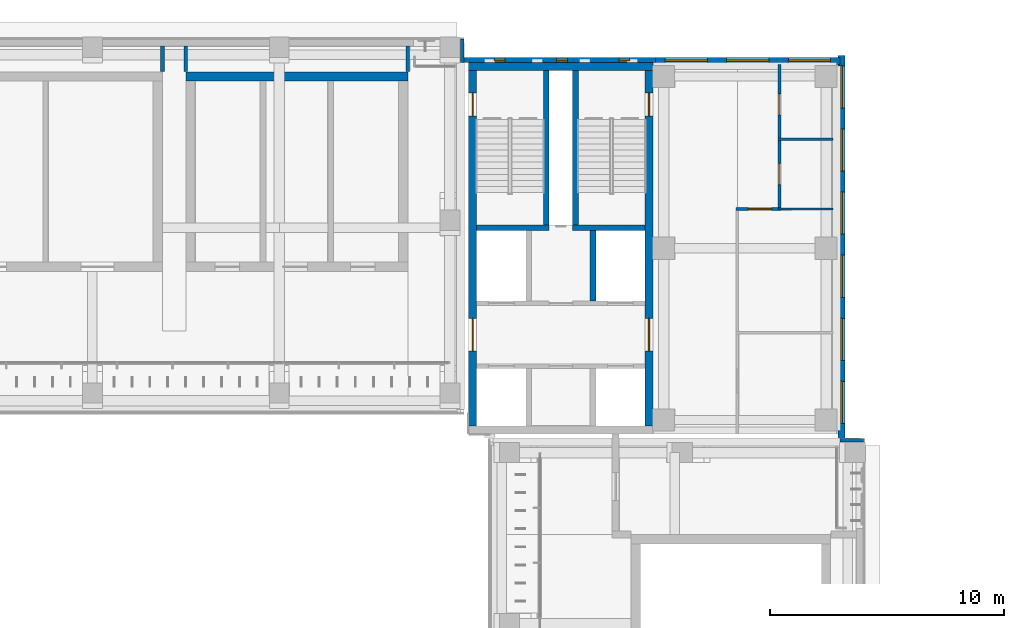
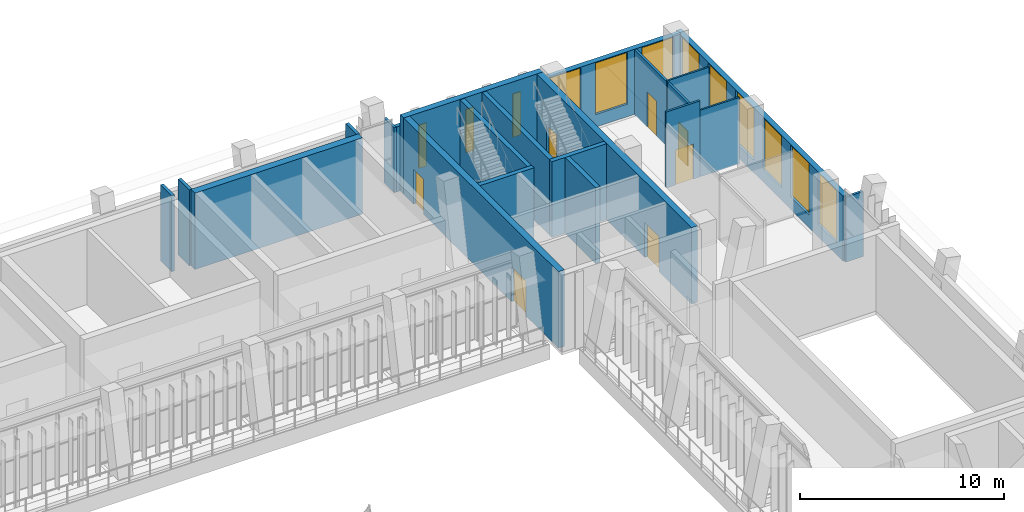
# One storey, part 69 of 92: 21 walls, 12 windows, 7 doors, 19 openings.
"""IFC4 building model written with IfcOpenShell, lengths in metres."""

from ifc_helpers import new_model, si_unit, direction, frame, frame_2d, origin, place, context, subcontext, project, spatial, rectangle, extrude, material, layer, layer_set, type_object, element, fill, save


model = new_model("IFC4")

# Units and contexts
model_context = context("Model", 3, precision=1e-05, world=origin(), true_north=direction((0.0, 1.0)))
body_context = subcontext(model_context, "Body", "Model", "MODEL_VIEW")
ifc_project = project(units=[si_unit("LENGTHUNIT", "METRE"), si_unit("AREAUNIT", "SQUARE_METRE"), si_unit("VOLUMEUNIT", "CUBIC_METRE"), si_unit("PLANEANGLEUNIT", "RADIAN"), si_unit("MASSUNIT", "GRAM", prefix="KILO")], contexts=[model_context])

# Site, building, storey
site_placement = place(None, origin())
site = spatial("IfcSite", under=ifc_project, at=site_placement, CompositionType="ELEMENT")
building_placement = place(site_placement, origin())
building = spatial("IfcBuilding", under=site, at=building_placement, Name="Lantern Court Media Centre", CompositionType="ELEMENT")
storey_placement = place(building_placement, frame((0.0, 0.0, 4.800048828125)))
storey = spatial("IfcBuildingStorey", under=building, at=storey_placement, Name="L01", CompositionType="ELEMENT", Elevation=4.800048828125)

# Wall, openings, doors
ifc_material_1 = material(Name="Gypsum board partition")
ifc_layer_1 = layer(ifc_material_1, 0.125)
ifc_layer_set_1 = layer_set([ifc_layer_1], Name="Gypsum board partition")
wall_type_1 = type_object("IfcWallType", Name="Corridor partition 125", PredefinedType="PARTITIONING", material=ifc_layer_set_1)
wall_1_placement = place(storey_placement, frame((93.39990234375, 105.7919921875, 0.0), z_axis=(0.0, 0.0, 1.0), x_axis=(0.0, 1.0, 0.0)))
wall_1 = element("IfcWall", 1, at=wall_1_placement, inside=storey, type_object=wall_type_1, Name="L01 partition 052", PredefinedType="PARTITIONING", context=body_context, shape_type="SweptSolid", body=[
    extrude(rectangle(XDim=6.1279296875, YDim=0.125, at=frame_2d((3.06396484375, 0.0))), origin(), (0.0, 0.0, 1.0), 3.8798828125),
])
opening_1_placement = place(wall_1_placement, frame((3.96533203125, 0.0, 0.0)))
opening_1 = element("IfcOpeningElement", 2, at=opening_1_placement, cuts=wall_1, Name="Opening L01-035", PredefinedType="OPENING", context=body_context, shape_type="SweptSolid", body=[
    extrude(rectangle(XDim=0.89990234375, YDim=2.10009765625, at=frame_2d((0.449951171875, 1.050048828125))), frame((0.0, 0.072509765625, 0.0), z_axis=(0.0, -1.0, 0.0), x_axis=(1.0, 0.0, 0.0)), (0.0, 0.0, 1.0), 0.14501953125),
])
opening_2_placement = place(wall_1_placement, frame((0.97998046875, 0.0, 0.0)))
opening_2 = element("IfcOpeningElement", 3, at=opening_2_placement, cuts=wall_1, Name="Opening L01-036", PredefinedType="OPENING", context=body_context, shape_type="SweptSolid", body=[
    extrude(rectangle(XDim=0.89990234375, YDim=2.10009765625, at=frame_2d((0.449951171875, 1.050048828125))), frame((0.0, 0.072509765625, 0.0), z_axis=(0.0, -1.0, 0.0), x_axis=(1.0, 0.0, 0.0)), (0.0, 0.0, 1.0), 0.14501953125),
])
ifc_material_2 = material(Name="Solid-core timber door leaf", Category="wood")
door_type_1 = type_object("IfcDoorType", Name="Single door 900x2100", OperationType="NOTDEFINED", PredefinedType="DOOR", material=ifc_material_2)
door_1_placement = place(opening_1_placement, frame((0.89990234375, 0.0, 0.0), z_axis=(0.0, 0.0, 1.0), x_axis=(-1.0, 0.0, 0.0)))
door_1 = element("IfcDoor", 4, at=door_1_placement, inside=storey, type_object=door_type_1, Name="L01 WC Male door", OperationType="SINGLE_SWING_RIGHT", OverallHeight=2.10009765625, OverallWidth=0.89990234375, PredefinedType="DOOR", context=body_context, shape_type="SweptSolid", body=[
    extrude(rectangle(XDim=0.89990234375, YDim=2.10009765625, at=frame_2d((0.449951171875, 1.050048828125))), frame((0.0, 0.02490234375, 0.0), z_axis=(0.0, -1.0, 0.0), x_axis=(1.0, 0.0, 0.0)), (0.0, 0.0, 1.0), 0.050048828125),
])
fill(opening_1, door_1)
door_2_placement = place(opening_2_placement, frame((0.89990234375, 0.0, 0.0), z_axis=(0.0, 0.0, 1.0), x_axis=(-1.0, 0.0, 0.0)))
door_2 = element("IfcDoor", 5, at=door_2_placement, inside=storey, type_object=door_type_1, Name="L01 WC Female door", OperationType="SINGLE_SWING_LEFT", OverallHeight=2.10009765625, OverallWidth=0.89990234375, PredefinedType="DOOR", context=body_context, shape_type="SweptSolid", body=[
    extrude(rectangle(XDim=0.89990234375, YDim=2.10009765625, at=frame_2d((0.449951171875, 1.050048828125))), frame((0.0, 0.02490234375, 0.0), z_axis=(0.0, -1.0, 0.0), x_axis=(1.0, 0.0, 0.0)), (0.0, 0.0, 1.0), 0.050048828125),
])
fill(opening_2, door_2)

# Wall, opening, door
wall_2_placement = place(storey_placement, frame((91.53759765625, 105.72998046875, 0.0), z_axis=(0.0, 0.0, 1.0), x_axis=(1.0, 0.0, 0.0)))
wall_2 = element("IfcWall", 6, at=wall_2_placement, inside=storey, type_object=wall_type_1, Name="L01 partition 059", PredefinedType="PARTITIONING", context=body_context, shape_type="SweptSolid", body=[
    extrude(rectangle(XDim=1.9248046875, YDim=0.125, at=frame_2d((0.96240234375, 0.0))), origin(), (0.0, 0.0, 1.0), 4.56005859375),
])
opening_3_placement = place(wall_2_placement, frame((0.53515625, 0.0, 0.0)))
opening_3 = element("IfcOpeningElement", 7, at=opening_3_placement, cuts=wall_2, Name="Opening L01-033", PredefinedType="OPENING", context=body_context, shape_type="SweptSolid", body=[
    extrude(rectangle(XDim=1.0, YDim=2.10009765625, at=frame_2d((0.5, 1.050048828125))), frame((0.0, 0.072509765625, 0.0), z_axis=(0.0, -1.0, 0.0), x_axis=(1.0, 0.0, 0.0)), (0.0, 0.0, 1.0), 0.14501953125),
])
door_type_2 = type_object("IfcDoorType", Name="Single door 1000x2100", OperationType="NOTDEFINED", PredefinedType="DOOR", material=ifc_material_2)
door_3_placement = place(opening_3_placement, frame((1.0, 0.0, 0.0), z_axis=(0.0, 0.0, 1.0), x_axis=(-1.0, 0.0, 0.0)))
door_3 = element("IfcDoor", 8, at=door_3_placement, inside=storey, type_object=door_type_2, Name="L01 Broadcast Programming Office 02 door", OperationType="SINGLE_SWING_RIGHT", OverallHeight=2.10009765625, OverallWidth=1.0, PredefinedType="DOOR", context=body_context, shape_type="SweptSolid", body=[
    extrude(rectangle(XDim=1.0, YDim=2.10009765625, at=frame_2d((0.5, 1.050048828125))), frame((0.0, 0.02490234375, 0.0), z_axis=(0.0, -1.0, 0.0), x_axis=(1.0, 0.0, 0.0)), (0.0, 0.0, 1.0), 0.050048828125),
])
fill(opening_3, door_3)

# Wall, openings, windows
ifc_material_3 = material(Name="Honed limestone cladding on blockwork", Category="masonry")
ifc_layer_2 = layer(ifc_material_3, 0.300048828125)
ifc_layer_set_2 = layer_set([ifc_layer_2], Name="Honed limestone cladding on blockwork")
wall_type_2 = type_object("IfcWallType", Name="Limestone block wall 300", PredefinedType="SOLIDWALL", material=ifc_layer_set_2)
wall_3_placement = place(storey_placement, frame((96.070068359375, 95.89990234375, 0.0), z_axis=(0.0, 0.0, 1.0), x_axis=(0.0, 1.0, 0.0)))
wall_3 = element("IfcWall", 9, at=wall_3_placement, inside=storey, type_object=wall_type_2, Name="Limestone wall NE E L01", PredefinedType="SOLIDWALL", context=body_context, shape_type="SweptSolid", body=[
    extrude(rectangle(XDim=16.400146484375, YDim=0.300048828125, at=frame_2d((8.2001953125, 0.0))), origin(), (0.0, 0.0, 1.0), 3.89990234375),
])
opening_4_placement = place(wall_3_placement, frame((0.64990234375, 0.0, 0.75)))
opening_4 = element("IfcOpeningElement", 10, at=opening_4_placement, cuts=wall_3, Name="Opening WN-F", PredefinedType="OPENING", context=body_context, shape_type="SweptSolid", body=[
    extrude(rectangle(XDim=1.800048828125, YDim=3.10009765625, at=frame_2d((0.89990234375, 1.550048828125))), frame((0.0, 0.159912109375, 0.0), z_axis=(0.0, -1.0, 0.0), x_axis=(1.0, 0.0, 0.0)), (0.0, 0.0, 1.0), 0.320068359375),
])
opening_5_placement = place(wall_3_placement, frame((3.35009765625, 0.0, 0.75)))
opening_5 = element("IfcOpeningElement", 11, at=opening_5_placement, cuts=wall_3, Name="Opening WN-F", PredefinedType="OPENING", context=body_context, shape_type="SweptSolid", body=[
    extrude(rectangle(XDim=1.800048828125, YDim=3.10009765625, at=frame_2d((0.89990234375, 1.550048828125))), frame((0.0, 0.159912109375, 0.0), z_axis=(0.0, -1.0, 0.0), x_axis=(1.0, 0.0, 0.0)), (0.0, 0.0, 1.0), 0.320068359375),
])
opening_6_placement = place(wall_3_placement, frame((6.050048828125, 0.0, 0.75)))
opening_6 = element("IfcOpeningElement", 12, at=opening_6_placement, cuts=wall_3, Name="Opening WN-F", PredefinedType="OPENING", context=body_context, shape_type="SweptSolid", body=[
    extrude(rectangle(XDim=1.800048828125, YDim=3.10009765625, at=frame_2d((0.89990234375, 1.550048828125))), frame((0.0, 0.159912109375, 0.0), z_axis=(0.0, -1.0, 0.0), x_axis=(1.0, 0.0, 0.0)), (0.0, 0.0, 1.0), 0.320068359375),
])
opening_7_placement = place(wall_3_placement, frame((8.75, 0.0, 0.75)))
opening_7 = element("IfcOpeningElement", 13, at=opening_7_placement, cuts=wall_3, Name="Opening WN-F", PredefinedType="OPENING", context=body_context, shape_type="SweptSolid", body=[
    extrude(rectangle(XDim=1.800048828125, YDim=3.10009765625, at=frame_2d((0.89990234375, 1.550048828125))), frame((0.0, 0.159912109375, 0.0), z_axis=(0.0, -1.0, 0.0), x_axis=(1.0, 0.0, 0.0)), (0.0, 0.0, 1.0), 0.320068359375),
])
opening_8_placement = place(wall_3_placement, frame((11.449951171875, 0.0, 0.75)))
opening_8 = element("IfcOpeningElement", 14, at=opening_8_placement, cuts=wall_3, Name="Opening WN-F", PredefinedType="OPENING", context=body_context, shape_type="SweptSolid", body=[
    extrude(rectangle(XDim=1.800048828125, YDim=3.10009765625, at=frame_2d((0.89990234375, 1.550048828125))), frame((0.0, 0.159912109375, 0.0), z_axis=(0.0, -1.0, 0.0), x_axis=(1.0, 0.0, 0.0)), (0.0, 0.0, 1.0), 0.320068359375),
])
opening_9_placement = place(wall_3_placement, frame((14.14990234375, 0.0, 0.75)))
opening_9 = element("IfcOpeningElement", 15, at=opening_9_placement, cuts=wall_3, Name="Opening WN-F", PredefinedType="OPENING", context=body_context, shape_type="SweptSolid", body=[
    extrude(rectangle(XDim=1.800048828125, YDim=3.10009765625, at=frame_2d((0.89990234375, 1.550048828125))), frame((0.0, 0.159912109375, 0.0), z_axis=(0.0, -1.0, 0.0), x_axis=(1.0, 0.0, 0.0)), (0.0, 0.0, 1.0), 0.320068359375),
])
ifc_material_4 = material(Name="Anodised aluminium and glass", Category="aluminium")
window_type_1 = type_object("IfcWindowType", Name="Foyer window 1800x3100", PartitioningType="SINGLE_PANEL", PredefinedType="WINDOW", material=ifc_material_4)
window_1_placement = place(opening_4_placement, origin())
window_1 = element("IfcWindow", 16, at=window_1_placement, inside=storey, type_object=window_type_1, Name="Window NE E L01", OverallHeight=3.10009765625, OverallWidth=1.800048828125, PartitioningType="SINGLE_PANEL", PredefinedType="WINDOW", context=body_context, shape_type="SweptSolid", body=[
    extrude(rectangle(XDim=1.800048828125, YDim=3.10009765625, at=frame_2d((0.89990234375, 1.550048828125))), frame((0.0, 0.030029296875, 0.0), z_axis=(0.0, -1.0, 0.0), x_axis=(1.0, 0.0, 0.0)), (0.0, 0.0, 1.0), 0.06005859375),
])
fill(opening_4, window_1)
window_2_placement = place(opening_5_placement, origin())
window_2 = element("IfcWindow", 17, at=window_2_placement, inside=storey, type_object=window_type_1, Name="Window NE E L01", OverallHeight=3.10009765625, OverallWidth=1.800048828125, PartitioningType="SINGLE_PANEL", PredefinedType="WINDOW", context=body_context, shape_type="SweptSolid", body=[
    extrude(rectangle(XDim=1.800048828125, YDim=3.10009765625, at=frame_2d((0.89990234375, 1.550048828125))), frame((0.0, 0.030029296875, 0.0), z_axis=(0.0, -1.0, 0.0), x_axis=(1.0, 0.0, 0.0)), (0.0, 0.0, 1.0), 0.06005859375),
])
fill(opening_5, window_2)
window_3_placement = place(opening_6_placement, origin())
window_3 = element("IfcWindow", 18, at=window_3_placement, inside=storey, type_object=window_type_1, Name="Window NE E L01", OverallHeight=3.10009765625, OverallWidth=1.800048828125, PartitioningType="SINGLE_PANEL", PredefinedType="WINDOW", context=body_context, shape_type="SweptSolid", body=[
    extrude(rectangle(XDim=1.800048828125, YDim=3.10009765625, at=frame_2d((0.89990234375, 1.550048828125))), frame((0.0, 0.030029296875, 0.0), z_axis=(0.0, -1.0, 0.0), x_axis=(1.0, 0.0, 0.0)), (0.0, 0.0, 1.0), 0.06005859375),
])
fill(opening_6, window_3)
window_4_placement = place(opening_7_placement, origin())
window_4 = element("IfcWindow", 19, at=window_4_placement, inside=storey, type_object=window_type_1, Name="Window NE E L01", OverallHeight=3.10009765625, OverallWidth=1.800048828125, PartitioningType="SINGLE_PANEL", PredefinedType="WINDOW", context=body_context, shape_type="SweptSolid", body=[
    extrude(rectangle(XDim=1.800048828125, YDim=3.10009765625, at=frame_2d((0.89990234375, 1.550048828125))), frame((0.0, 0.030029296875, 0.0), z_axis=(0.0, -1.0, 0.0), x_axis=(1.0, 0.0, 0.0)), (0.0, 0.0, 1.0), 0.06005859375),
])
fill(opening_7, window_4)
window_5_placement = place(opening_8_placement, origin())
window_5 = element("IfcWindow", 20, at=window_5_placement, inside=storey, type_object=window_type_1, Name="Window NE E L01", OverallHeight=3.10009765625, OverallWidth=1.800048828125, PartitioningType="SINGLE_PANEL", PredefinedType="WINDOW", context=body_context, shape_type="SweptSolid", body=[
    extrude(rectangle(XDim=1.800048828125, YDim=3.10009765625, at=frame_2d((0.89990234375, 1.550048828125))), frame((0.0, 0.030029296875, 0.0), z_axis=(0.0, -1.0, 0.0), x_axis=(1.0, 0.0, 0.0)), (0.0, 0.0, 1.0), 0.06005859375),
])
fill(opening_8, window_5)
window_6_placement = place(opening_9_placement, origin())
window_6 = element("IfcWindow", 21, at=window_6_placement, inside=storey, type_object=window_type_1, Name="Window NE E L01", OverallHeight=3.10009765625, OverallWidth=1.800048828125, PartitioningType="SINGLE_PANEL", PredefinedType="WINDOW", context=body_context, shape_type="SweptSolid", body=[
    extrude(rectangle(XDim=1.800048828125, YDim=3.10009765625, at=frame_2d((0.89990234375, 1.550048828125))), frame((0.0, 0.030029296875, 0.0), z_axis=(0.0, -1.0, 0.0), x_axis=(1.0, 0.0, 0.0)), (0.0, 0.0, 1.0), 0.06005859375),
])
fill(opening_9, window_6)

wall_4_placement = place(storey_placement, frame((88.10009765625, 112.070068359375, 0.0), z_axis=(0.0, 0.0, 1.0), x_axis=(1.0, 0.0, 0.0)))
wall_4 = element("IfcWall", 22, at=wall_4_placement, inside=storey, type_object=wall_type_2, Name="Limestone wall NE N L01", PredefinedType="SOLIDWALL", context=body_context, shape_type="SweptSolid", body=[
    extrude(rectangle(XDim=7.89990234375, YDim=0.300048828125, at=frame_2d((3.949951171875, 0.0))), origin(), (0.0, 0.0, 1.0), 3.89990234375),
])
opening_10_placement = place(wall_4_placement, frame((0.416748046875, 0.0, 0.75)))
opening_10 = element("IfcOpeningElement", 23, at=opening_10_placement, cuts=wall_4, Name="Opening WN-F", PredefinedType="OPENING", context=body_context, shape_type="SweptSolid", body=[
    extrude(rectangle(XDim=1.800048828125, YDim=3.10009765625, at=frame_2d((0.89990234375, 1.550048828125))), frame((0.0, 0.159912109375, 0.0), z_axis=(0.0, -1.0, 0.0), x_axis=(1.0, 0.0, 0.0)), (0.0, 0.0, 1.0), 0.320068359375),
])
opening_11_placement = place(wall_4_placement, frame((3.050048828125, 0.0, 0.75)))
opening_11 = element("IfcOpeningElement", 24, at=opening_11_placement, cuts=wall_4, Name="Opening WN-F", PredefinedType="OPENING", context=body_context, shape_type="SweptSolid", body=[
    extrude(rectangle(XDim=1.800048828125, YDim=3.10009765625, at=frame_2d((0.89990234375, 1.550048828125))), frame((0.0, 0.159912109375, 0.0), z_axis=(0.0, -1.0, 0.0), x_axis=(1.0, 0.0, 0.0)), (0.0, 0.0, 1.0), 0.320068359375),
])
opening_12_placement = place(wall_4_placement, frame((5.683349609375, 0.0, 0.75)))
opening_12 = element("IfcOpeningElement", 25, at=opening_12_placement, cuts=wall_4, Name="Opening WN-F", PredefinedType="OPENING", context=body_context, shape_type="SweptSolid", body=[
    extrude(rectangle(XDim=1.800048828125, YDim=3.10009765625, at=frame_2d((0.89990234375, 1.550048828125))), frame((0.0, 0.159912109375, 0.0), z_axis=(0.0, -1.0, 0.0), x_axis=(1.0, 0.0, 0.0)), (0.0, 0.0, 1.0), 0.320068359375),
])
window_7_placement = place(opening_10_placement, origin())
window_7 = element("IfcWindow", 26, at=window_7_placement, inside=storey, type_object=window_type_1, Name="Window NE N L01", OverallHeight=3.10009765625, OverallWidth=1.800048828125, PartitioningType="SINGLE_PANEL", PredefinedType="WINDOW", context=body_context, shape_type="SweptSolid", body=[
    extrude(rectangle(XDim=1.800048828125, YDim=3.10009765625, at=frame_2d((0.89990234375, 1.550048828125))), frame((0.0, 0.030029296875, 0.0), z_axis=(0.0, -1.0, 0.0), x_axis=(1.0, 0.0, 0.0)), (0.0, 0.0, 1.0), 0.06005859375),
])
fill(opening_10, window_7)
window_8_placement = place(opening_11_placement, origin())
window_8 = element("IfcWindow", 27, at=window_8_placement, inside=storey, type_object=window_type_1, Name="Window NE N L01", OverallHeight=3.10009765625, OverallWidth=1.800048828125, PartitioningType="SINGLE_PANEL", PredefinedType="WINDOW", context=body_context, shape_type="SweptSolid", body=[
    extrude(rectangle(XDim=1.800048828125, YDim=3.10009765625, at=frame_2d((0.89990234375, 1.550048828125))), frame((0.0, 0.030029296875, 0.0), z_axis=(0.0, -1.0, 0.0), x_axis=(1.0, 0.0, 0.0)), (0.0, 0.0, 1.0), 0.06005859375),
])
fill(opening_11, window_8)
window_9_placement = place(opening_12_placement, origin())
window_9 = element("IfcWindow", 28, at=window_9_placement, inside=storey, type_object=window_type_1, Name="Window NE N L01", OverallHeight=3.10009765625, OverallWidth=1.800048828125, PartitioningType="SINGLE_PANEL", PredefinedType="WINDOW", context=body_context, shape_type="SweptSolid", body=[
    extrude(rectangle(XDim=1.800048828125, YDim=3.10009765625, at=frame_2d((0.89990234375, 1.550048828125))), frame((0.0, 0.030029296875, 0.0), z_axis=(0.0, -1.0, 0.0), x_axis=(1.0, 0.0, 0.0)), (0.0, 0.0, 1.0), 0.06005859375),
])
fill(opening_12, window_9)

# Walls
ifc_layer_3 = layer(ifc_material_3, 0.139892578125)
ifc_layer_set_3 = layer_set([ifc_layer_3], Name="Honed limestone cladding on blockwork")
wall_type_3 = type_object("IfcWallType", Name="Limestone closure wall 140", PredefinedType="SOLIDWALL", material=ifc_layer_set_3)
for number, where, z_axis, x_axis, name in (
    (29, (79.830078125, 112.0, 0.0), (0.0, 0.0, 1.0), (0.0, 1.0, 0.0), "Limestone closure wall N-NE L01"),
    (30, (96.0, 95.830078125, 0.0), (0.0, 0.0, 1.0), (1.0, 0.0, 0.0), "Limestone closure wall E-NE L01"),
):
    element("IfcWall", number, at=place(storey_placement, frame(where, z_axis=z_axis, x_axis=x_axis)), inside=storey, type_object=wall_type_3, Name=name, PredefinedType="SOLIDWALL", context=body_context, shape_type="SweptSolid", body=[
        extrude(rectangle(XDim=1.0, YDim=0.139892578125, at=frame_2d((0.5, 0.0))), origin(), (0.0, 0.0, 1.0), 3.89990234375),
    ])

# Wall, openings, windows
ifc_material_5 = material(Name="Honed limestone cladding on blockwork, reduced to 220 where it passes the core wall", Category="masonry")
ifc_layer_4 = layer(ifc_material_5, 0.219970703125)
ifc_layer_set_4 = layer_set([ifc_layer_4], Name="Honed limestone cladding on blockwork, reduced to 220 where it passes the core wall")
wall_type_4 = type_object("IfcWallType", Name="Limestone skin wall 220", PredefinedType="SOLIDWALL", material=ifc_layer_set_4)
wall_5_placement = place(storey_placement, frame((79.89990234375, 112.110107421875, 0.0), z_axis=(0.0, 0.0, 1.0), x_axis=(1.0, 0.0, 0.0)))
wall_5 = element("IfcWall", 31, at=wall_5_placement, inside=storey, type_object=wall_type_4, Name="Limestone wall NE N L01", PredefinedType="SOLIDWALL", context=body_context, shape_type="SweptSolid", body=[
    extrude(rectangle(XDim=8.2001953125, YDim=0.219970703125, at=frame_2d((4.10009765625, 0.0))), origin(), (0.0, 0.0, 1.0), 3.89990234375),
])
opening_13_placement = place(wall_5_placement, frame((1.308349609375, 0.0, 0.89990234375)))
opening_13 = element("IfcOpeningElement", 32, at=opening_13_placement, cuts=wall_5, Name="Opening WN-S", PredefinedType="OPENING", context=body_context, shape_type="SweptSolid", body=[
    extrude(rectangle(XDim=0.449951171875, YDim=2.60009765625, at=frame_2d((0.22509765625, 1.300048828125))), frame((0.0, 0.119873046875, 0.0), z_axis=(0.0, -1.0, 0.0), x_axis=(1.0, 0.0, 0.0)), (0.0, 0.0, 1.0), 0.239990234375),
])
opening_14_placement = place(wall_5_placement, frame((3.97509765625, 0.0, 0.89990234375)))
opening_14 = element("IfcOpeningElement", 33, at=opening_14_placement, cuts=wall_5, Name="Opening WN-S", PredefinedType="OPENING", context=body_context, shape_type="SweptSolid", body=[
    extrude(rectangle(XDim=0.449951171875, YDim=2.60009765625, at=frame_2d((0.22509765625, 1.300048828125))), frame((0.0, 0.119873046875, 0.0), z_axis=(0.0, -1.0, 0.0), x_axis=(1.0, 0.0, 0.0)), (0.0, 0.0, 1.0), 0.239990234375),
])
opening_15_placement = place(wall_5_placement, frame((6.6416015625, 0.0, 0.89990234375)))
opening_15 = element("IfcOpeningElement", 34, at=opening_15_placement, cuts=wall_5, Name="Opening WN-S", PredefinedType="OPENING", context=body_context, shape_type="SweptSolid", body=[
    extrude(rectangle(XDim=0.449951171875, YDim=2.60009765625, at=frame_2d((0.22509765625, 1.300048828125))), frame((0.0, 0.119873046875, 0.0), z_axis=(0.0, -1.0, 0.0), x_axis=(1.0, 0.0, 0.0)), (0.0, 0.0, 1.0), 0.239990234375),
])
window_type_2 = type_object("IfcWindowType", Name="Stair slit window 450x2600", PartitioningType="SINGLE_PANEL", PredefinedType="WINDOW", material=ifc_material_4)
window_10_placement = place(opening_13_placement, origin())
window_10 = element("IfcWindow", 35, at=window_10_placement, inside=storey, type_object=window_type_2, Name="Window NE N L01", OverallHeight=2.60009765625, OverallWidth=0.449951171875, PartitioningType="SINGLE_PANEL", PredefinedType="WINDOW", context=body_context, shape_type="SweptSolid", body=[
    extrude(rectangle(XDim=0.449951171875, YDim=2.60009765625, at=frame_2d((0.22509765625, 1.300048828125))), frame((0.0, 0.030029296875, 0.0), z_axis=(0.0, -1.0, 0.0), x_axis=(1.0, 0.0, 0.0)), (0.0, 0.0, 1.0), 0.06005859375),
])
fill(opening_13, window_10)
window_11_placement = place(opening_14_placement, origin())
window_11 = element("IfcWindow", 36, at=window_11_placement, inside=storey, type_object=window_type_2, Name="Window NE N L01", OverallHeight=2.60009765625, OverallWidth=0.449951171875, PartitioningType="SINGLE_PANEL", PredefinedType="WINDOW", context=body_context, shape_type="SweptSolid", body=[
    extrude(rectangle(XDim=0.449951171875, YDim=2.60009765625, at=frame_2d((0.22509765625, 1.300048828125))), frame((0.0, 0.030029296875, 0.0), z_axis=(0.0, -1.0, 0.0), x_axis=(1.0, 0.0, 0.0)), (0.0, 0.0, 1.0), 0.06005859375),
])
fill(opening_14, window_11)
window_12_placement = place(opening_15_placement, origin())
window_12 = element("IfcWindow", 37, at=window_12_placement, inside=storey, type_object=window_type_2, Name="Window NE N L01", OverallHeight=2.60009765625, OverallWidth=0.449951171875, PartitioningType="SINGLE_PANEL", PredefinedType="WINDOW", context=body_context, shape_type="SweptSolid", body=[
    extrude(rectangle(XDim=0.449951171875, YDim=2.60009765625, at=frame_2d((0.22509765625, 1.300048828125))), frame((0.0, 0.030029296875, 0.0), z_axis=(0.0, -1.0, 0.0), x_axis=(1.0, 0.0, 0.0)), (0.0, 0.0, 1.0), 0.06005859375),
])
fill(opening_15, window_12)

# Walls
ifc_layer_5 = layer(ifc_material_1, 0.10009765625)
ifc_layer_set_5 = layer_set([ifc_layer_5], Name="Gypsum board partition")
wall_type_5 = type_object("IfcWallType", Name="Partition 100", PredefinedType="PARTITIONING", material=ifc_layer_set_5)
for number, where, z_axis, x_axis, name in (
    (38, (93.33740234375, 105.72998046875, 0.0), (0.0, 0.0, 1.0), (1.0, 0.0, 0.0), "L01 partition 060"),
    (39, (93.33740234375, 108.715087890625, 0.0), (0.0, 0.0, 1.0), (1.0, 0.0, 0.0), "L01 partition 061"),
):
    element("IfcWall", number, at=place(storey_placement, frame(where, z_axis=z_axis, x_axis=x_axis)), inside=storey, type_object=wall_type_5, Name=name, PredefinedType="PARTITIONING", context=body_context, shape_type="SweptSolid", body=[
        extrude(rectangle(XDim=2.362548828125, YDim=0.10009765625, at=frame_2d((1.18115234375, 0.0))), origin(), (0.0, 0.0, 1.0), 3.97998046875),
    ])
ifc_material_6 = material(Name="Concrete C40", Category="concrete")
ifc_layer_6 = layer(ifc_material_6, 0.35009765625)
ifc_layer_set_6 = layer_set([ifc_layer_6], Name="Concrete C40")
wall_type_6 = type_object("IfcWallType", Name="RC CORE WALL 350", PredefinedType="SHEAR", material=ifc_layer_set_6)
wall_6_placement = place(storey_placement, frame((80.10009765625, 111.824951171875, 0.0), z_axis=(0.0, 0.0, 1.0), x_axis=(1.0, 0.0, 0.0)))
element("IfcWall", 40, at=wall_6_placement, inside=storey, type_object=wall_type_6, Name="WC-NE-L01-N", PredefinedType="SHEAR", context=body_context, shape_type="SweptSolid", body=[
    extrude(rectangle(XDim=7.89990234375, YDim=0.35009765625, at=frame_2d((3.949951171875, 0.0))), origin(), (0.0, 0.0, 1.0), 4.579833984375),
])

# Wall, openings, doors
wall_7_placement = place(storey_placement, frame((80.27490234375, 96.449951171875, 0.0), z_axis=(0.0, 0.0, 1.0), x_axis=(0.0, 1.0, 0.0)))
wall_7 = element("IfcWall", 41, at=wall_7_placement, inside=storey, type_object=wall_type_6, Name="WC-NE-L01-W", PredefinedType="SHEAR", context=body_context, shape_type="SweptSolid", body=[
    extrude(rectangle(XDim=15.199951171875, YDim=0.35009765625, at=frame_2d((7.60009765625, 0.0))), origin(), (0.0, 0.0, 1.0), 4.579833984375),
])
opening_16_placement = place(wall_7_placement, frame((13.25, 0.0, 0.0)))
opening_16 = element("IfcOpeningElement", 42, at=opening_16_placement, cuts=wall_7, Name="Opening NE-L01-02", PredefinedType="OPENING", context=body_context, shape_type="SweptSolid", body=[
    extrude(rectangle(XDim=1.0, YDim=2.10009765625, at=frame_2d((0.5, 1.050048828125))), frame((0.0, 0.18505859375, 0.0), z_axis=(0.0, -1.0, 0.0), x_axis=(1.0, 0.0, 0.0)), (0.0, 0.0, 1.0), 0.3701171875),
])
opening_17_placement = place(wall_7_placement, frame((3.199951171875, 0.0, 0.0)))
opening_17 = element("IfcOpeningElement", 43, at=opening_17_placement, cuts=wall_7, Name="Opening NE-L01-06", PredefinedType="OPENING", context=body_context, shape_type="SweptSolid", body=[
    extrude(rectangle(XDim=1.39990234375, YDim=2.10009765625, at=frame_2d((0.699951171875, 1.050048828125))), frame((0.0, 0.18505859375, 0.0), z_axis=(0.0, -1.0, 0.0), x_axis=(1.0, 0.0, 0.0)), (0.0, 0.0, 1.0), 0.3701171875),
])
ifc_material_7 = material(Name="Steel door leaf", Category="steel")
door_type_3 = type_object("IfcDoorType", Name="Lift lobby double door 1400x2100", OperationType="NOTDEFINED", PredefinedType="DOOR", material=ifc_material_7)
door_4_placement = place(opening_17_placement, origin())
door_4 = element("IfcDoor", 44, at=door_4_placement, inside=storey, type_object=door_type_3, Name="L01 NE lift lobby east door", OperationType="SINGLE_SWING_RIGHT", OverallHeight=2.10009765625, OverallWidth=1.39990234375, PredefinedType="DOOR", context=body_context, shape_type="SweptSolid", body=[
    extrude(rectangle(XDim=1.39990234375, YDim=2.10009765625, at=frame_2d((0.699951171875, 1.050048828125))), frame((0.0, 0.02490234375, 0.0), z_axis=(0.0, -1.0, 0.0), x_axis=(1.0, 0.0, 0.0)), (0.0, 0.0, 1.0), 0.050048828125),
])
fill(opening_17, door_4)
door_type_4 = type_object("IfcDoorType", Name="Stair door 1000x2100", OperationType="NOTDEFINED", PredefinedType="DOOR", material=ifc_material_7)
door_5_placement = place(opening_16_placement, origin())
door_5 = element("IfcDoor", 45, at=door_5_placement, inside=storey, type_object=door_type_4, Name="L01 NE stair B door", OperationType="SINGLE_SWING_RIGHT", OverallHeight=2.10009765625, OverallWidth=1.0, PredefinedType="DOOR", context=body_context, shape_type="SweptSolid", body=[
    extrude(rectangle(XDim=1.0, YDim=2.10009765625, at=frame_2d((0.5, 1.050048828125))), frame((0.0, 0.02490234375, 0.0), z_axis=(0.0, -1.0, 0.0), x_axis=(1.0, 0.0, 0.0)), (0.0, 0.0, 1.0), 0.050048828125),
])
fill(opening_16, door_5)

wall_8_placement = place(storey_placement, frame((87.824951171875, 96.449951171875, 0.0), z_axis=(0.0, 0.0, 1.0), x_axis=(0.0, 1.0, 0.0)))
wall_8 = element("IfcWall", 46, at=wall_8_placement, inside=storey, type_object=wall_type_6, Name="WC-NE-L01-E", PredefinedType="SHEAR", context=body_context, shape_type="SweptSolid", body=[
    extrude(rectangle(XDim=15.199951171875, YDim=0.35009765625, at=frame_2d((7.60009765625, 0.0))), origin(), (0.0, 0.0, 1.0), 4.579833984375),
])
opening_18_placement = place(wall_8_placement, frame((13.25, 0.0, 0.0)))
opening_18 = element("IfcOpeningElement", 47, at=opening_18_placement, cuts=wall_8, Name="Opening NE-L01-01", PredefinedType="OPENING", context=body_context, shape_type="SweptSolid", body=[
    extrude(rectangle(XDim=1.0, YDim=2.10009765625, at=frame_2d((0.5, 1.050048828125))), frame((0.0, 0.18505859375, 0.0), z_axis=(0.0, -1.0, 0.0), x_axis=(1.0, 0.0, 0.0)), (0.0, 0.0, 1.0), 0.3701171875),
])
opening_19_placement = place(wall_8_placement, frame((3.199951171875, 0.0, 0.0)))
opening_19 = element("IfcOpeningElement", 48, at=opening_19_placement, cuts=wall_8, Name="Opening NE-L01-05", PredefinedType="OPENING", context=body_context, shape_type="SweptSolid", body=[
    extrude(rectangle(XDim=1.39990234375, YDim=2.10009765625, at=frame_2d((0.699951171875, 1.050048828125))), frame((0.0, 0.18505859375, 0.0), z_axis=(0.0, -1.0, 0.0), x_axis=(1.0, 0.0, 0.0)), (0.0, 0.0, 1.0), 0.3701171875),
])
door_6_placement = place(opening_19_placement, frame((1.39990234375, 0.0, 0.0), z_axis=(0.0, 0.0, 1.0), x_axis=(-1.0, 0.0, 0.0)))
door_6 = element("IfcDoor", 49, at=door_6_placement, inside=storey, type_object=door_type_3, Name="L01 NE lift lobby west door", OperationType="SINGLE_SWING_LEFT", OverallHeight=2.10009765625, OverallWidth=1.39990234375, PredefinedType="DOOR", context=body_context, shape_type="SweptSolid", body=[
    extrude(rectangle(XDim=1.39990234375, YDim=2.10009765625, at=frame_2d((0.699951171875, 1.050048828125))), frame((0.0, 0.02490234375, 0.0), z_axis=(0.0, -1.0, 0.0), x_axis=(1.0, 0.0, 0.0)), (0.0, 0.0, 1.0), 0.050048828125),
])
fill(opening_19, door_6)
door_7_placement = place(opening_18_placement, frame((1.0, 0.0, 0.0), z_axis=(0.0, 0.0, 1.0), x_axis=(-1.0, 0.0, 0.0)))
door_7 = element("IfcDoor", 50, at=door_7_placement, inside=storey, type_object=door_type_4, Name="L01 NE stair A door", OperationType="SINGLE_SWING_LEFT", OverallHeight=2.10009765625, OverallWidth=1.0, PredefinedType="DOOR", context=body_context, shape_type="SweptSolid", body=[
    extrude(rectangle(XDim=1.0, YDim=2.10009765625, at=frame_2d((0.5, 1.050048828125))), frame((0.0, 0.02490234375, 0.0), z_axis=(0.0, -1.0, 0.0), x_axis=(1.0, 0.0, 0.0)), (0.0, 0.0, 1.0), 0.050048828125),
])
fill(opening_18, door_7)

# Walls
ifc_layer_7 = layer(ifc_material_6, 0.39990234375)
ifc_layer_set_7 = layer_set([ifc_layer_7], Name="Concrete C40")
wall_type_7 = type_object("IfcWallType", Name="RC SHEAR WALL 400", PredefinedType="SHEAR", material=ifc_layer_set_7)
wall_9_placement = place(storey_placement, frame((68.0, 111.39990234375, 0.0), z_axis=(0.0, 0.0, 1.0), x_axis=(1.0, 0.0, 0.0)))
element("IfcWall", 51, at=wall_9_placement, inside=storey, type_object=wall_type_7, Name="WB-N-EDB-L01-N", PredefinedType="SHEAR", context=body_context, shape_type="SweptSolid", body=[
    extrude(rectangle(XDim=9.5, YDim=0.39990234375, at=frame_2d((4.75, 0.0))), origin(), (0.0, 0.0, 1.0), 4.579833984375),
])
ifc_layer_8 = layer(ifc_material_6, 0.25)
ifc_layer_set_8 = layer_set([ifc_layer_8], Name="Concrete C40")
wall_type_8 = type_object("IfcWallType", Name="RC lift shaft wall 250", PredefinedType="SOLIDWALL", material=ifc_layer_set_8)
wall_10_placement = place(storey_placement, frame((85.425048828125, 104.800048828125, 0.0), z_axis=(0.0, 0.0, 1.0), x_axis=(0.0, -1.0, 0.0)))
element("IfcWall", 52, at=wall_10_placement, inside=storey, type_object=wall_type_8, Name="L01 NE L1a", PredefinedType="SOLIDWALL", context=body_context, shape_type="SweptSolid", body=[
    extrude(rectangle(XDim=3.0, YDim=0.25, at=frame_2d((1.5, 0.0))), origin(), (0.0, 0.0, 1.0), 4.550048828125),
])
ifc_layer_9 = layer(ifc_material_6, 0.25)
ifc_layer_set_9 = layer_set([ifc_layer_9], Name="Concrete C40")
wall_type_9 = type_object("IfcWallType", Name="RC stair shaft wall 250", PredefinedType="SOLIDWALL", material=ifc_layer_set_9)
for number, where, z_axis, x_axis, name in (
    (53, (84.675048828125, 111.64990234375, 0.0), (0.0, 0.0, 1.0), (0.0, -1.0, 0.0), "L01 NE SA"),
    (54, (83.425048828125, 111.64990234375, 0.0), (0.0, 0.0, 1.0), (0.0, -1.0, 0.0), "L01 NE SB"),
):
    element("IfcWall", number, at=place(storey_placement, frame(where, z_axis=z_axis, x_axis=x_axis)), inside=storey, type_object=wall_type_9, Name=name, PredefinedType="SOLIDWALL", context=body_context, shape_type="SweptSolid", body=[
        extrude(rectangle(XDim=6.599853515625, YDim=0.25, at=frame_2d((3.2998046875, 0.0))), origin(), (0.0, 0.0, 1.0), 4.550048828125),
    ])
wall_11_placement = place(storey_placement, frame((87.64990234375, 104.925048828125, 0.0), z_axis=(0.0, 0.0, 1.0), x_axis=(-1.0, 0.0, 0.0)))
element("IfcWall", 55, at=wall_11_placement, inside=storey, type_object=wall_type_9, Name="L01 NE SN1", PredefinedType="SOLIDWALL", context=body_context, shape_type="SweptSolid", body=[
    extrude(rectangle(XDim=3.099853515625, YDim=0.25, at=frame_2d((1.5498046875, 0.0))), origin(), (0.0, 0.0, 1.0), 4.550048828125),
])
wall_12_placement = place(storey_placement, frame((83.550048828125, 104.925048828125, 0.0), z_axis=(0.0, 0.0, 1.0), x_axis=(-1.0, 0.0, 0.0)))
element("IfcWall", 56, at=wall_12_placement, inside=storey, type_object=wall_type_9, Name="L01 NE SN2", PredefinedType="SOLIDWALL", context=body_context, shape_type="SweptSolid", body=[
    extrude(rectangle(XDim=3.10009765625, YDim=0.25, at=frame_2d((1.550048828125, 0.0))), origin(), (0.0, 0.0, 1.0), 4.550048828125),
])
ifc_material_8 = material(Name="Fire-rated gypsum board")
ifc_layer_10 = layer(ifc_material_8, 0.159912109375)
ifc_layer_set_10 = layer_set([ifc_layer_10], Name="Fire-rated gypsum board")
wall_type_10 = type_object("IfcWallType", Name="Riser shaft liner wall 160", PredefinedType="PARTITIONING", material=ifc_layer_set_10)
for number, where, z_axis, x_axis, name in (
    (57, (77.5, 111.60498046875, 0.0), (0.0, 0.0, 1.0), (0.0, 1.0, 0.0), "L01 partition 003"),
    (58, (67.0, 111.60498046875, 0.0), (0.0, 0.0, 1.0), (0.0, 1.0, 0.0), "L01 partition 018"),
    (59, (68.0, 111.60498046875, 0.0), (0.0, 0.0, 1.0), (0.0, 1.0, 0.0), "L01 partition 022"),
):
    element("IfcWall", number, at=place(storey_placement, frame(where, z_axis=z_axis, x_axis=x_axis)), inside=storey, type_object=wall_type_10, Name=name, PredefinedType="PARTITIONING", context=body_context, shape_type="SweptSolid", body=[
        extrude(rectangle(XDim=1.090087890625, YDim=0.159912109375, at=frame_2d((0.544921875, 0.0))), origin(), (0.0, 0.0, 1.0), 4.56005859375),
    ])

save(model, "model.ifc")
